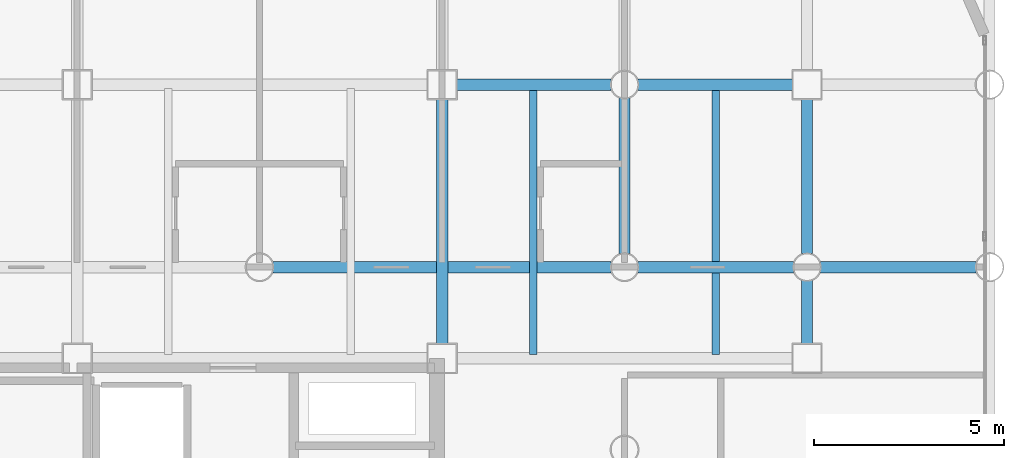
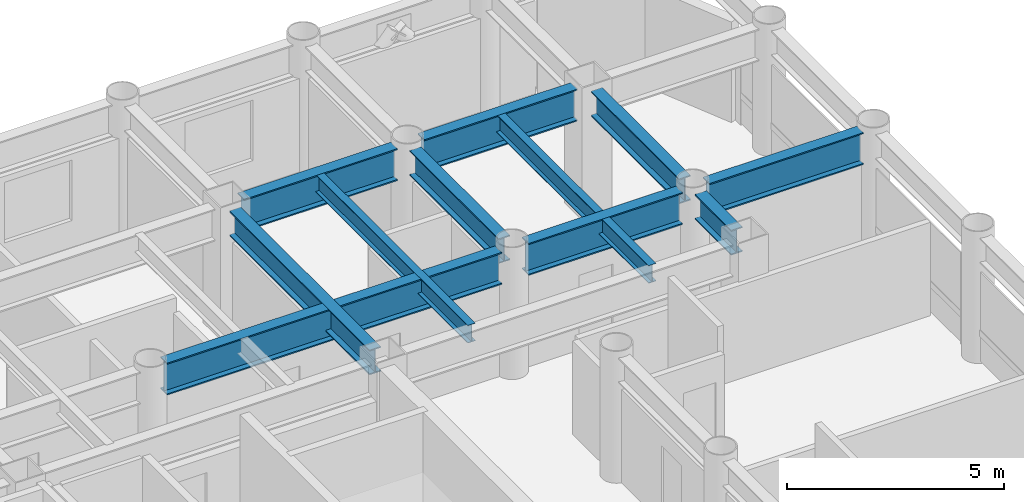
# One storey, part 13 of 22: 11 beams.
"""IFC4 building model written with IfcOpenShell, lengths in metres."""

from ifc_helpers import new_model, si_unit, direction, frame, origin, origin_2d, place, context, subcontext, project, spatial, i_section, extrude, material, material_profile, profile_set, type_object, element, save


model = new_model("IFC4")

# Units and contexts
model_context = context("Model", 3, precision=1e-05, world=origin(), true_north=direction((0.0, 1.0)))
body_context = subcontext(model_context, "Body", "Model", "MODEL_VIEW")
ifc_project = project(units=[si_unit("LENGTHUNIT", "METRE"), si_unit("AREAUNIT", "SQUARE_METRE"), si_unit("VOLUMEUNIT", "CUBIC_METRE"), si_unit("PLANEANGLEUNIT", "RADIAN"), si_unit("MASSUNIT", "GRAM", prefix="KILO")], contexts=[model_context])

# Site, building, storey
site_placement = place(None, origin())
site = spatial("IfcSite", under=ifc_project, at=site_placement, CompositionType="ELEMENT")
building_placement = place(site_placement, origin())
building = spatial("IfcBuilding", under=site, at=building_placement, Name="Kallvorn Hotel Tower", CompositionType="ELEMENT")
storey_placement = place(building_placement, frame((0.0, 0.0, 37.39990234375)))
storey = spatial("IfcBuildingStorey", under=building, at=storey_placement, Name="L07", CompositionType="ELEMENT", Elevation=37.39990234375)

# Beams
ifc_material_1 = material(Name="Structural steel S355JR", Category="steel")
ifc_material_profile_1 = material_profile(ifc_material_1, i_section(OverallWidth=0.300048828125, OverallDepth=0.699951171875, WebThickness=0.01708984375, FlangeThickness=0.031982421875, at=origin_2d()), Name="HE 700 B")
ifc_profile_set_1 = profile_set([ifc_material_profile_1], Name="Structural steel S355JR")
beam_type_1 = type_object("IfcBeamType", Name="BM_HE700B", PredefinedType="BEAM", material=ifc_profile_set_1)
beam_1_placement = place(storey_placement, frame((14.39990234375, 7.574951171875, 3.170166015625), z_axis=(0.0, 1.0, 0.0), x_axis=(-1.0, 0.0, 0.0)))
element("IfcBeam", 1, at=beam_1_placement, inside=storey, type_object=beam_type_1, Name="L08 Primary Y-Girder 125", PredefinedType="BEAM", context=body_context, shape_type="SweptSolid", body=[
    extrude(i_section(OverallWidth=0.300048828125, OverallDepth=0.699951171875, WebThickness=0.01708984375, FlangeThickness=0.031982421875, at=origin_2d()), origin(), (0.0, 0.0, 1.0), 6.449951171875),
])
beam_2_placement = place(storey_placement, frame((19.199951171875, 9.9560546875, 3.170166015625), z_axis=(0.0, 1.0, 0.0), x_axis=(-1.0, 0.0, 0.0)))
element("IfcBeam", 2, at=beam_2_placement, inside=storey, type_object=beam_type_1, Name="L08 Primary Y-Girder 134", PredefinedType="BEAM", context=body_context, shape_type="SweptSolid", body=[
    extrude(i_section(OverallWidth=0.300048828125, OverallDepth=0.699951171875, WebThickness=0.01708984375, FlangeThickness=0.031982421875, at=origin_2d()), origin(), (0.0, 0.0, 1.0), 4.087890625),
])
beam_3_placement = place(storey_placement, frame((24.0, 7.574951171875, 3.170166015625), z_axis=(0.0, 1.0, 0.0), x_axis=(-1.0, 0.0, 0.0)))
element("IfcBeam", 3, at=beam_3_placement, inside=storey, type_object=beam_type_1, Name="L08 Primary Y-Girder 140", PredefinedType="BEAM", context=body_context, shape_type="SweptSolid", body=[
    extrude(i_section(OverallWidth=0.300048828125, OverallDepth=0.699951171875, WebThickness=0.01708984375, FlangeThickness=0.031982421875, at=origin_2d()), origin(), (0.0, 0.0, 1.0), 1.6689453125),
])
beam_4_placement = place(storey_placement, frame((24.0, 9.9560546875, 3.170166015625), z_axis=(0.0, 1.0, 0.0), x_axis=(-1.0, 0.0, 0.0)))
element("IfcBeam", 4, at=beam_4_placement, inside=storey, type_object=beam_type_1, Name="L08 Primary Y-Girder 141", PredefinedType="BEAM", context=body_context, shape_type="SweptSolid", body=[
    extrude(i_section(OverallWidth=0.300048828125, OverallDepth=0.699951171875, WebThickness=0.01708984375, FlangeThickness=0.031982421875, at=origin_2d()), origin(), (0.0, 0.0, 1.0), 4.06884765625),
])
ifc_material_2 = material(Name="Structural steel S355JR", Category="steel")
ifc_material_profile_2 = material_profile(ifc_material_2, i_section(OverallWidth=0.300048828125, OverallDepth=0.89990234375, WebThickness=0.0185546875, FlangeThickness=0.034912109375, at=origin_2d()), Name="HE 900 B")
ifc_profile_set_2 = profile_set([ifc_material_profile_2], Name="Structural steel S355JR")
beam_type_2 = type_object("IfcBeamType", Name="BM_HE900B", PredefinedType="BEAM", material=ifc_profile_set_2)
beam_5_placement = place(storey_placement, frame((9.9560546875, 9.60009765625, 3.070068359375), z_axis=(1.0, 0.0, 0.0), x_axis=(0.0, 1.0, 0.0)))
element("IfcBeam", 5, at=beam_5_placement, inside=storey, type_object=beam_type_2, Name="L08 Primary X-Girder 48", PredefinedType="BEAM", context=body_context, shape_type="SweptSolid", body=[
    extrude(i_section(OverallWidth=0.300048828125, OverallDepth=0.89990234375, WebThickness=0.0185546875, FlangeThickness=0.034912109375, at=origin_2d()), origin(), (0.0, 0.0, 1.0), 8.887939453125),
])
for number, where, z_axis, x_axis, name in (
    (6, (19.555908203125, 9.60009765625, 3.070068359375), (1.0, 0.0, 0.0), (0.0, 1.0, 0.0), "L08 Primary X-Girder 49"),
    (7, (24.35595703125, 9.60009765625, 3.070068359375), (1.0, 0.0, 0.0), (0.0, 1.0, 0.0), "L08 Primary X-Girder 50"),
):
    element("IfcBeam", number, at=place(storey_placement, frame(where, z_axis=z_axis, x_axis=x_axis)), inside=storey, type_object=beam_type_2, Name=name, PredefinedType="BEAM", context=body_context, shape_type="SweptSolid", body=[
        extrude(i_section(OverallWidth=0.300048828125, OverallDepth=0.89990234375, WebThickness=0.0185546875, FlangeThickness=0.034912109375, at=origin_2d()), origin(), (0.0, 0.0, 1.0), 4.088134765625),
    ])
for number, where, z_axis, x_axis, name in (
    (8, (14.77490234375, 14.39990234375, 3.070068359375), (1.0, 0.0, 0.0), (0.0, 1.0, 0.0), "L08 Primary X-Girder 58"),
    (9, (19.555908203125, 14.39990234375, 3.070068359375), (1.0, 0.0, 0.0), (0.0, 1.0, 0.0), "L08 Primary X-Girder 59"),
):
    element("IfcBeam", number, at=place(storey_placement, frame(where, z_axis=z_axis, x_axis=x_axis)), inside=storey, type_object=beam_type_2, Name=name, PredefinedType="BEAM", context=body_context, shape_type="SweptSolid", body=[
        extrude(i_section(OverallWidth=0.300048828125, OverallDepth=0.89990234375, WebThickness=0.0185546875, FlangeThickness=0.034912109375, at=origin_2d()), origin(), (0.0, 0.0, 1.0), 4.069091796875),
    ])
ifc_material_3 = material(Name="Structural steel S355JR", Category="steel")
ifc_material_profile_3 = material_profile(ifc_material_3, i_section(OverallWidth=0.199951171875, OverallDepth=0.5, WebThickness=0.01025390625, FlangeThickness=0.01611328125, at=origin_2d()), Name="IPE 500")
ifc_profile_set_3 = profile_set([ifc_material_profile_3], Name="Structural steel S355JR")
beam_type_3 = type_object("IfcBeamType", Name="BM_IPE500", PredefinedType="JOIST", material=ifc_profile_set_3)
for number, where, z_axis, x_axis, name in (
    (10, (16.800048828125, 7.300048828125, 3.27001953125), (0.0, 1.0, 0.0), (-1.0, 0.0, 0.0), "L08 Secondary Composite Joist 207"),
    (11, (21.60009765625, 7.300048828125, 3.27001953125), (0.0, 1.0, 0.0), (-1.0, 0.0, 0.0), "L08 Secondary Composite Joist 209"),
):
    element("IfcBeam", number, at=place(storey_placement, frame(where, z_axis=z_axis, x_axis=x_axis)), inside=storey, type_object=beam_type_3, Name=name, PredefinedType="JOIST", context=body_context, shape_type="SweptSolid", body=[
        extrude(i_section(OverallWidth=0.199951171875, OverallDepth=0.5, WebThickness=0.01025390625, FlangeThickness=0.01611328125, at=origin_2d()), origin(), (0.0, 0.0, 1.0), 7.0),
    ])

save(model, "model.ifc")
